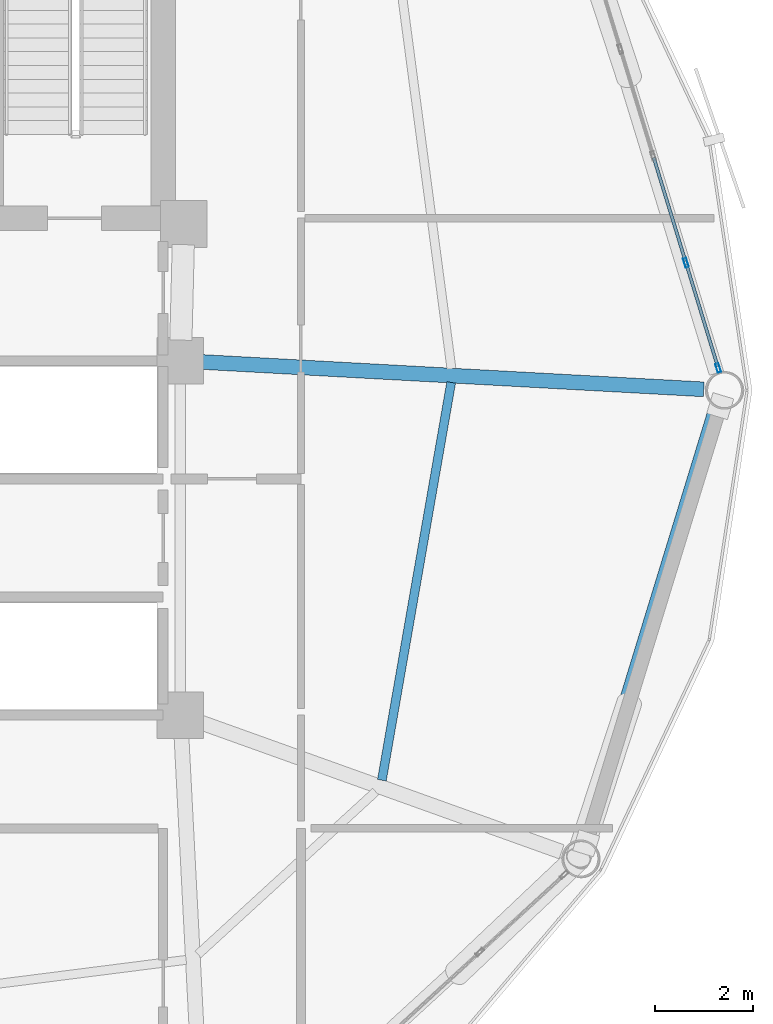
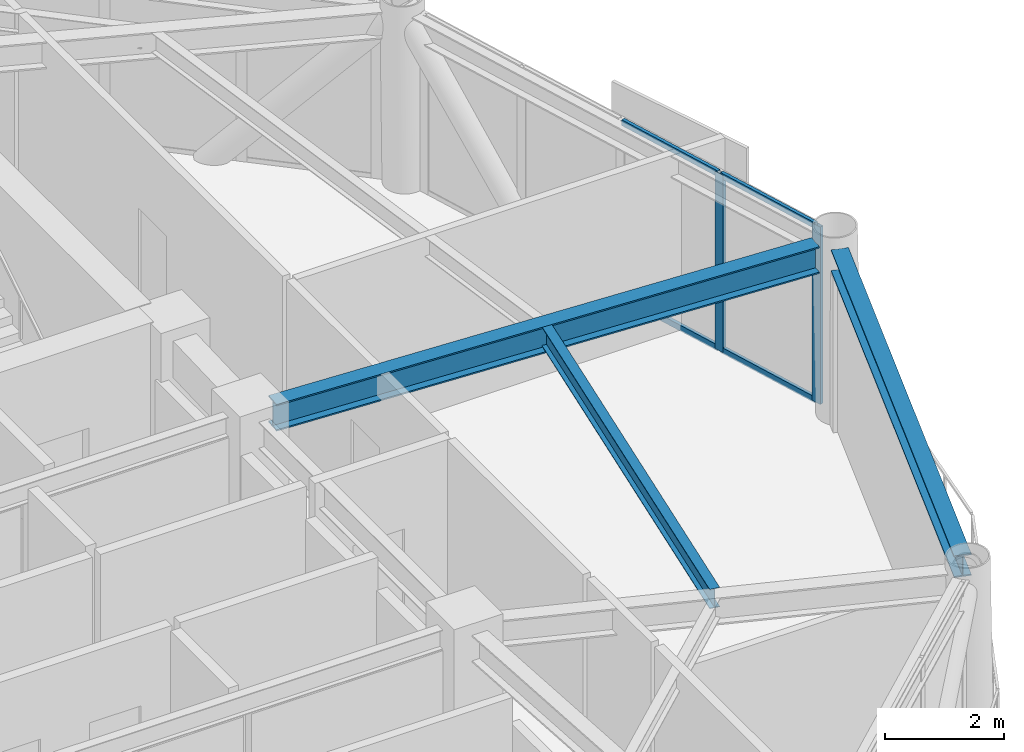
# One storey, part 14 of 27: 6 members, 3 beams, 1 element without a shape of its own.
"""IFC4 building model written with IfcOpenShell, lengths in metres."""

from ifc_helpers import new_model, si_unit, direction, frame, origin, origin_2d, place, context, subcontext, project, spatial, hollow_rectangle, i_section, extrude, material, layer, layer_set, material_profile, profile_set, type_object, element, aggregate, save


model = new_model("IFC4")

# Units and contexts
model_context = context("Model", 3, precision=1e-05, world=origin(), true_north=direction((0.0, 1.0)))
body_context = subcontext(model_context, "Body", "Model", "MODEL_VIEW")
ifc_project = project(units=[si_unit("LENGTHUNIT", "METRE"), si_unit("AREAUNIT", "SQUARE_METRE"), si_unit("VOLUMEUNIT", "CUBIC_METRE"), si_unit("PLANEANGLEUNIT", "RADIAN"), si_unit("MASSUNIT", "GRAM", prefix="KILO")], contexts=[model_context])

# Site, building, storey
site_placement = place(None, origin())
site = spatial("IfcSite", under=ifc_project, at=site_placement, CompositionType="ELEMENT")
building_placement = place(site_placement, origin())
building = spatial("IfcBuilding", under=site, at=building_placement, Name="Varnakorn Sky Granary", CompositionType="ELEMENT")
storey_placement = place(building_placement, frame((0.0, 0.0, 142.199951171875)))
storey = spatial("IfcBuildingStorey", under=building, at=storey_placement, Name="L35", CompositionType="ELEMENT", Elevation=142.199951171875)

# Beams
ifc_material_1 = material(Name="Steel S355JR", Category="steel")
ifc_material_profile_1 = material_profile(ifc_material_1, i_section(OverallWidth=0.300048828125, OverallDepth=0.550048828125, WebThickness=0.014892578125, FlangeThickness=0.029052734375, at=origin_2d()), Name="HE 550 B")
ifc_profile_set_1 = profile_set([ifc_material_profile_1], Name="Steel S355JR")
beam_type_1 = type_object("IfcBeamType", Name="BM-RAD-Z3", PredefinedType="BEAM", material=ifc_profile_set_1)
beam_1_placement = place(storey_placement, frame((8.769287109375, 0.5771484375, 3.364990234375), z_axis=(0.998516085452, -0.054457571507, 0.0), x_axis=(0.054457571507, 0.998516085452, 0.0)))
element("IfcBeam", 1, at=beam_1_placement, inside=storey, type_object=beam_type_1, Name="Radial Floor Girder RG01 L35", PredefinedType="BEAM", context=body_context, shape_type="SweptSolid", body=[
    extrude(i_section(OverallWidth=0.300048828125, OverallDepth=0.550048828125, WebThickness=0.014892578125, FlangeThickness=0.029052734375, at=origin_2d()), origin(), (0.0, 0.0, 1.0), 10.23046875),
])
ifc_material_profile_2 = material_profile(ifc_material_1, i_section(OverallWidth=0.179931640625, OverallDepth=0.39990234375, WebThickness=0.008544921875, FlangeThickness=0.013427734375, at=origin_2d()), Name="IPE 400")
ifc_profile_set_2 = profile_set([ifc_material_profile_2], Name="Steel S355JR")
beam_type_2 = type_object("IfcBeamType", Name="BM-SEC-Z3", PredefinedType="BEAM", material=ifc_profile_set_2)
beam_2_placement = place(storey_placement, frame((12.4443359375, -7.92138671875, 3.43994140625), z_axis=(0.171681512852, 0.985152505019, 0.0), x_axis=(-0.985152505019, 0.171681512852, 0.0)))
element("IfcBeam", 2, at=beam_2_placement, inside=storey, type_object=beam_type_2, Name="Secondary Floor Chord Beam MSB12 L35", PredefinedType="BEAM", context=body_context, shape_type="SweptSolid", body=[
    extrude(i_section(OverallWidth=0.179931640625, OverallDepth=0.39990234375, WebThickness=0.008544921875, FlangeThickness=0.013427734375, at=origin_2d()), origin(), (0.0, 0.0, 1.0), 8.203857421875),
])
ifc_material_profile_3 = material_profile(ifc_material_1, i_section(OverallWidth=0.300048828125, OverallDepth=0.449951171875, WebThickness=0.013916015625, FlangeThickness=0.02587890625, at=origin_2d()), Name="HE 450 B")
ifc_profile_set_3 = profile_set([ifc_material_profile_3], Name="Steel S355JR")
beam_type_3 = type_object("IfcBeamType", Name="BM-SPD-Z3", PredefinedType="SPANDREL", material=ifc_profile_set_3)
beam_3_placement = place(storey_placement, frame((16.546875, -9.150634765625, 3.4150390625), z_axis=(0.292905803463, 0.956141302475, 0.0), x_axis=(-0.956141302475, 0.292905803463, 0.0)))
element("IfcBeam", 3, at=beam_3_placement, inside=storey, type_object=beam_type_3, Name="Perimeter Spandrel Ring Beam RB12 L35", PredefinedType="SPANDREL", context=body_context, shape_type="SweptSolid", body=[
    extrude(i_section(OverallWidth=0.300048828125, OverallDepth=0.449951171875, WebThickness=0.013916015625, FlangeThickness=0.02587890625, at=origin_2d()), origin(), (0.0, 0.0, 1.0), 9.20458984375),
])

# Curtain wall, members
ifc_material_2 = material(Name="Anodised Bronze Aluminium Alloy 6063-T6", Category="aluminium")
ifc_layer = layer(ifc_material_2, 0.179931640625, Name="Anodised Bronze Aluminium Alloy 6063-T6")
ifc_layer_set = layer_set([ifc_layer], Name="Anodised Bronze Aluminium Alloy 6063-T6")
curtain_wall_type = type_object("IfcCurtainWallType", Name="CW-FRM-2", PredefinedType="USERDEFINED", material=ifc_layer_set)
curtain_wall_placement = place(storey_placement, origin())
curtain_wall = element("IfcCurtainWall", 4, at=curtain_wall_placement, inside=storey, type_object=curtain_wall_type, Name="Unitised Curtain Wall CW4 CW-L35-B01", ObjectType="CURTAIN WALL", PredefinedType="USERDEFINED")
ifc_material_profile_4 = material_profile(ifc_material_2, hollow_rectangle(XDim=0.070068359375, YDim=0.18505859375, WallThickness=0.00390625, at=origin_2d()), Name="ALU MULL 70x185")
ifc_profile_set_4 = profile_set([ifc_material_profile_4], Name="Anodised Bronze Aluminium Alloy 6063-T6")
member_type_1 = type_object("IfcMemberType", Name="CW-FRM-2-MULL", PredefinedType="MULLION", material=ifc_profile_set_4)
member_1_placement = place(storey_placement, frame((18.62255859375, 2.591796875, 0.0), z_axis=(0.0, 0.0, 1.0), x_axis=(0.956091617843, 0.293067941424, 0.0)))
member_1 = element("IfcMember", 5, at=member_1_placement, type_object=member_type_1, Name="CW4 mullion 4", PredefinedType="MULLION", context=body_context, shape_type="SweptSolid", body=[
    extrude(hollow_rectangle(XDim=0.070068359375, YDim=0.18505859375, WallThickness=0.00390625, at=origin_2d()), origin(), (0.0, 0.0, 1.0), 3.64013671875),
])
member_2_placement = place(storey_placement, frame((19.277587890625, 0.455078125, 0.0), z_axis=(0.0, 0.0, 1.0), x_axis=(0.956091617843, 0.293067941424, 0.0)))
member_2 = element("IfcMember", 6, at=member_2_placement, type_object=member_type_1, Name="CW4 mullion 5", PredefinedType="MULLION", context=body_context, shape_type="SweptSolid", body=[
    extrude(hollow_rectangle(XDim=0.070068359375, YDim=0.18505859375, WallThickness=0.00390625, at=origin_2d()), origin(), (0.0, 0.0, 1.0), 3.64013671875),
])
ifc_material_profile_5 = material_profile(ifc_material_2, hollow_rectangle(XDim=0.06494140625, YDim=0.1201171875, WallThickness=0.00341796875, at=origin_2d()), Name="ALU TRAN 65x120")
ifc_profile_set_5 = profile_set([ifc_material_profile_5], Name="Anodised Bronze Aluminium Alloy 6063-T6")
member_type_2 = type_object("IfcMemberType", Name="CW-FRM-2-TRAN", PredefinedType="USERDEFINED", material=ifc_profile_set_5)
member_3_placement = place(storey_placement, frame((17.967529296875, 4.728515625, 0.032470703125), z_axis=(0.293095279234, -0.956083237637, 0.0), x_axis=(0.956083237637, 0.293095279234, 0.0)))
member_3 = element("IfcMember", 7, at=member_3_placement, type_object=member_type_2, Name="CW4 transom 3.1", ObjectType="TRANSOM", PredefinedType="USERDEFINED", context=body_context, shape_type="SweptSolid", body=[
    extrude(hollow_rectangle(XDim=0.06494140625, YDim=0.1201171875, WallThickness=0.00341796875, at=origin_2d()), origin(), (0.0, 0.0, 1.0), 2.199951171875),
])
member_4_placement = place(storey_placement, frame((17.967529296875, 4.728515625, 3.607666015625), z_axis=(0.293095279234, -0.956083237637, 0.0), x_axis=(0.956083237637, 0.293095279234, 0.0)))
member_4 = element("IfcMember", 8, at=member_4_placement, type_object=member_type_2, Name="CW4 transom 3.2", ObjectType="TRANSOM", PredefinedType="USERDEFINED", context=body_context, shape_type="SweptSolid", body=[
    extrude(hollow_rectangle(XDim=0.06494140625, YDim=0.1201171875, WallThickness=0.00341796875, at=origin_2d()), origin(), (0.0, 0.0, 1.0), 2.199951171875),
])
member_5_placement = place(storey_placement, frame((18.6328125, 2.558349609375, 0.032470703125), z_axis=(0.29309512368, -0.956083285324, 0.0), x_axis=(0.956083285324, 0.29309512368, 0.0)))
member_5 = element("IfcMember", 9, at=member_5_placement, type_object=member_type_2, Name="CW4 transom 4.1", ObjectType="TRANSOM", PredefinedType="USERDEFINED", context=body_context, shape_type="SweptSolid", body=[
    extrude(hollow_rectangle(XDim=0.06494140625, YDim=0.1201171875, WallThickness=0.00341796875, at=origin_2d()), origin(), (0.0, 0.0, 1.0), 2.164794921875),
])
member_6_placement = place(storey_placement, frame((18.6328125, 2.558349609375, 3.607666015625), z_axis=(0.29309512368, -0.956083285324, 0.0), x_axis=(0.956083285324, 0.29309512368, 0.0)))
member_6 = element("IfcMember", 10, at=member_6_placement, type_object=member_type_2, Name="CW4 transom 4.2", ObjectType="TRANSOM", PredefinedType="USERDEFINED", context=body_context, shape_type="SweptSolid", body=[
    extrude(hollow_rectangle(XDim=0.06494140625, YDim=0.1201171875, WallThickness=0.00341796875, at=origin_2d()), origin(), (0.0, 0.0, 1.0), 2.164794921875),
])
aggregate(curtain_wall, [member_1, member_2, member_3, member_4, member_5, member_6])

save(model, "model.ifc")
